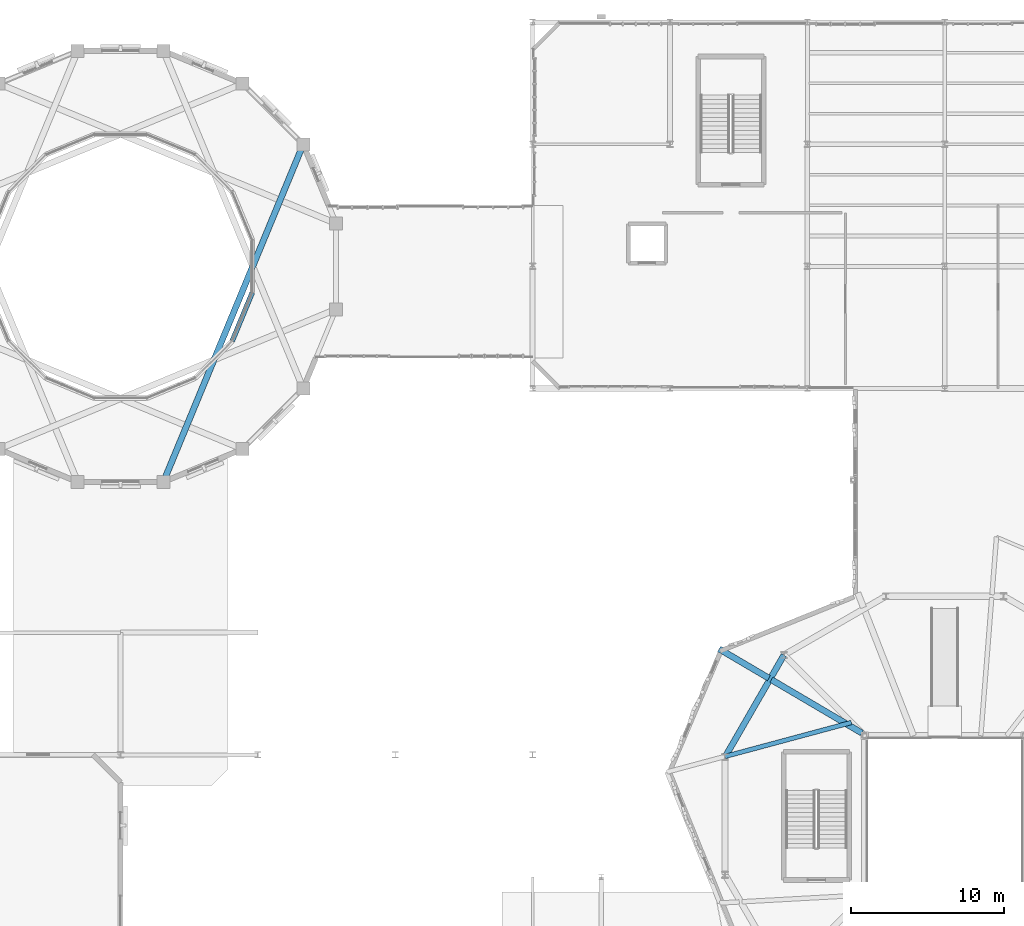
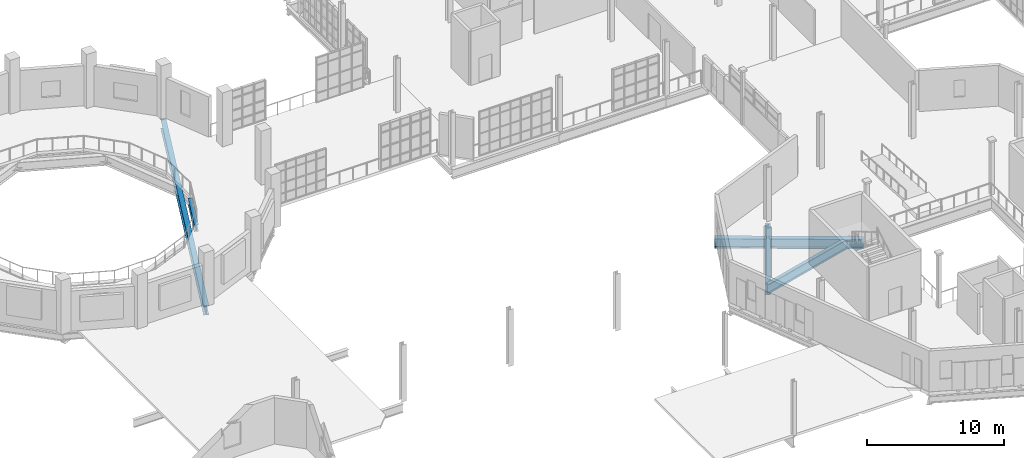
# One storey, part 16 of 122: 6 beams.
"""IFC4 building model written with IfcOpenShell, lengths in metres."""

from ifc_helpers import new_model, si_unit, direction, frame, origin, origin_2d, place, context, subcontext, project, spatial, i_section, extrude, material, material_profile, profile_set, type_object, element, save


model = new_model("IFC4")

# Units and contexts
model_context = context("Model", 3, precision=1e-05, world=origin(), true_north=direction((0.0, 1.0)))
body_context = subcontext(model_context, "Body", "Model", "MODEL_VIEW")
ifc_project = project(units=[si_unit("LENGTHUNIT", "METRE"), si_unit("AREAUNIT", "SQUARE_METRE"), si_unit("VOLUMEUNIT", "CUBIC_METRE"), si_unit("PLANEANGLEUNIT", "RADIAN"), si_unit("MASSUNIT", "GRAM", prefix="KILO"), si_unit("THERMODYNAMICTEMPERATUREUNIT", "KELVIN"), si_unit("POWERUNIT", "WATT")], contexts=[model_context])

# Site, building, storey
site_placement = place(None, origin())
site = spatial("IfcSite", under=ifc_project, at=site_placement, CompositionType="ELEMENT")
building_placement = place(site_placement, origin())
building = spatial("IfcBuilding", under=site, at=building_placement, Name="Zelmaris Science Centre", CompositionType="ELEMENT")
storey_placement = place(building_placement, frame((0.0, 0.0, 10.800048828125)))
storey = spatial("IfcBuildingStorey", under=building, at=storey_placement, Name="L02", CompositionType="ELEMENT", Elevation=10.800048828125)

# Beams
ifc_material = material(Name="Steel ASTM A992 Grade 50", Category="steel")
ifc_material_profile_1 = material_profile(ifc_material, i_section(OverallWidth=0.40087890625, OverallDepth=0.85595703125, WebThickness=0.018310546875, FlangeThickness=0.029296875, FilletRadius=0.02001953125, at=origin_2d()), Name="W33X201")
ifc_profile_set_1 = profile_set([ifc_material_profile_1], Name="Steel ASTM A992 Grade 50")
beam_type_1 = type_object("IfcBeamType", Name="Beam G-05 W33X201", PredefinedType="BEAM", material=ifc_profile_set_1)
beam_1_placement = place(storey_placement, frame((29.809326171875, 57.876708984375, -0.68798828125), z_axis=(0.382681651925, 0.923880269992, 0.0), x_axis=(-0.923880269992, 0.382681651925, 0.0)))
element("IfcBeam", 1, at=beam_1_placement, inside=storey, type_object=beam_type_1, Name="L02 Planetarium gallery chord girder 13", PredefinedType="BEAM", context=body_context, shape_type="SweptSolid", body=[
    extrude(i_section(OverallWidth=0.40087890625, OverallDepth=0.85595703125, WebThickness=0.018310546875, FlangeThickness=0.029296875, FilletRadius=0.02001953125, at=origin_2d()), origin(), (0.0, 0.0, 1.0), 23.9462890625),
])
ifc_material_profile_2 = material_profile(ifc_material, i_section(OverallWidth=0.294921875, OverallDepth=0.85107421875, WebThickness=0.01611328125, FlangeThickness=0.02685546875, FilletRadius=0.02001953125, at=origin_2d()), Name="W33X152")
ifc_profile_set_2 = profile_set([ifc_material_profile_2], Name="Steel ASTM A992 Grade 50")
beam_type_2 = type_object("IfcBeamType", Name="Beam G-06 W33X152", PredefinedType="BEAM", material=ifc_profile_set_2)
beam_2_placement = place(storey_placement, frame((74.8818359375, 42.1181640625, -0.7255859375), z_axis=(-0.965706661873, -0.25963559697, 0.0), x_axis=(0.25963559697, -0.965706661873, 0.0)))
element("IfcBeam", 2, at=beam_2_placement, inside=storey, type_object=beam_type_2, Name="L02 Overhang back-span girder 10", PredefinedType="BEAM", context=body_context, shape_type="SweptSolid", body=[
    extrude(i_section(OverallWidth=0.294921875, OverallDepth=0.85107421875, WebThickness=0.01611328125, FlangeThickness=0.02685546875, FilletRadius=0.02001953125, at=origin_2d()), origin(), (0.0, 0.0, 1.0), 8.57763671875),
])
ifc_material_profile_3 = material_profile(ifc_material, i_section(OverallWidth=0.324951171875, OverallDepth=0.612060546875, WebThickness=0.0126953125, FlangeThickness=0.01904296875, FilletRadius=0.014892578125, at=origin_2d()), Name="W24X104")
ifc_profile_set_3 = profile_set([ifc_material_profile_3], Name="Steel ASTM A992 Grade 50")
beam_type_3 = type_object("IfcBeamType", Name="Beam G-15 W24X104", PredefinedType="BEAM", material=ifc_profile_set_3)
beam_3_placement = place(storey_placement, frame((34.31689453125, 67.111083984375, -0.566162109375), z_axis=(0.382690908705, 0.923876435675, 0.0), x_axis=(-0.923876435675, 0.382690908705, 0.0)))
element("IfcBeam", 3, at=beam_3_placement, inside=storey, type_object=beam_type_3, Name="L02 Planetarium gallery inner ring beam 15", PredefinedType="BEAM", context=body_context, shape_type="SweptSolid", body=[
    extrude(i_section(OverallWidth=0.324951171875, OverallDepth=0.612060546875, WebThickness=0.0126953125, FlangeThickness=0.01904296875, FilletRadius=0.014892578125, at=origin_2d()), origin(), (0.0, 0.0, 1.0), 3.43359375),
])
ifc_material_profile_4 = material_profile(ifc_material, i_section(OverallWidth=0.40087890625, OverallDepth=1.0009765625, WebThickness=0.01904296875, FlangeThickness=0.0361328125, FilletRadius=0.02490234375, at=origin_2d()), Name="W40X249")
ifc_profile_set_4 = profile_set([ifc_material_profile_4], Name="Steel ASTM A992 Grade 50")
beam_type_4 = type_object("IfcBeamType", Name="Beam G-22 W40X249", PredefinedType="BEAM", material=ifc_profile_set_4)
beam_4_placement = place(storey_placement, frame((70.464111328125, 46.535888671875, -0.800537109375), z_axis=(-0.500006504531, -0.866021648359, 0.0), x_axis=(0.866021648359, -0.500006504531, 0.0)))
element("IfcBeam", 4, at=beam_4_placement, inside=storey, type_object=beam_type_4, Name="L02 Exhibition inner ring girder 5", PredefinedType="BEAM", context=body_context, shape_type="SweptSolid", body=[
    extrude(i_section(OverallWidth=0.40087890625, OverallDepth=1.0009765625, WebThickness=0.01904296875, FlangeThickness=0.0361328125, FilletRadius=0.02490234375, at=origin_2d()), origin(), (0.0, 0.0, 1.0), 7.712890625),
])
ifc_material_profile_5 = material_profile(ifc_material, i_section(OverallWidth=0.404052734375, OverallDepth=0.861083984375, WebThickness=0.019775390625, FlangeThickness=0.032470703125, FilletRadius=0.02001953125, at=origin_2d()), Name="W33X221")
ifc_profile_set_5 = profile_set([ifc_material_profile_5], Name="Steel ASTM A992 Grade 50")
beam_type_5 = type_object("IfcBeamType", Name="Beam G-28 W33X221", PredefinedType="BEAM", material=ifc_profile_set_5)
beam_5_placement = place(storey_placement, frame((75.5703125, 41.4296875, -0.73046875), z_axis=(-0.861601090035, 0.507586014041, 0.0), x_axis=(-0.507586014041, -0.861601090035, 0.0)))
element("IfcBeam", 5, at=beam_5_placement, inside=storey, type_object=beam_type_5, Name="L02 Overhang back-span girder 9", PredefinedType="BEAM", context=body_context, shape_type="SweptSolid", body=[
    extrude(i_section(OverallWidth=0.404052734375, OverallDepth=0.861083984375, WebThickness=0.019775390625, FlangeThickness=0.032470703125, FilletRadius=0.02001953125, at=origin_2d()), origin(), (0.0, 0.0, 1.0), 6.88037109375),
])
beam_6_placement = place(storey_placement, frame((69.478515625, 45.0185546875, -0.73046875), z_axis=(-0.861587342973, 0.507609348249, 0.0), x_axis=(-0.507609348249, -0.861587342973, 0.0)))
element("IfcBeam", 6, at=beam_6_placement, inside=storey, type_object=beam_type_5, Name="L02 Radial overhang girder 9", PredefinedType="BEAM", context=body_context, shape_type="SweptSolid", body=[
    extrude(i_section(OverallWidth=0.404052734375, OverallDepth=0.861083984375, WebThickness=0.019775390625, FlangeThickness=0.032470703125, FilletRadius=0.02001953125, at=origin_2d()), origin(), (0.0, 0.0, 1.0), 3.78369140625),
])

save(model, "model.ifc")
